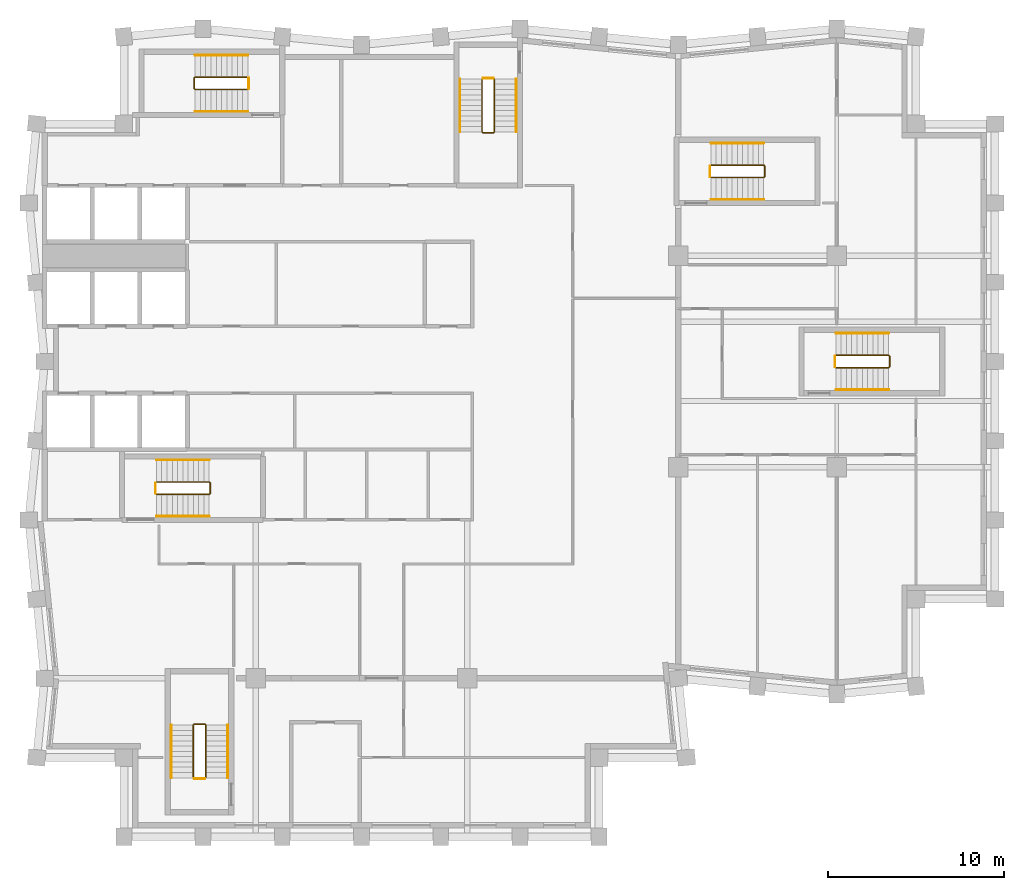
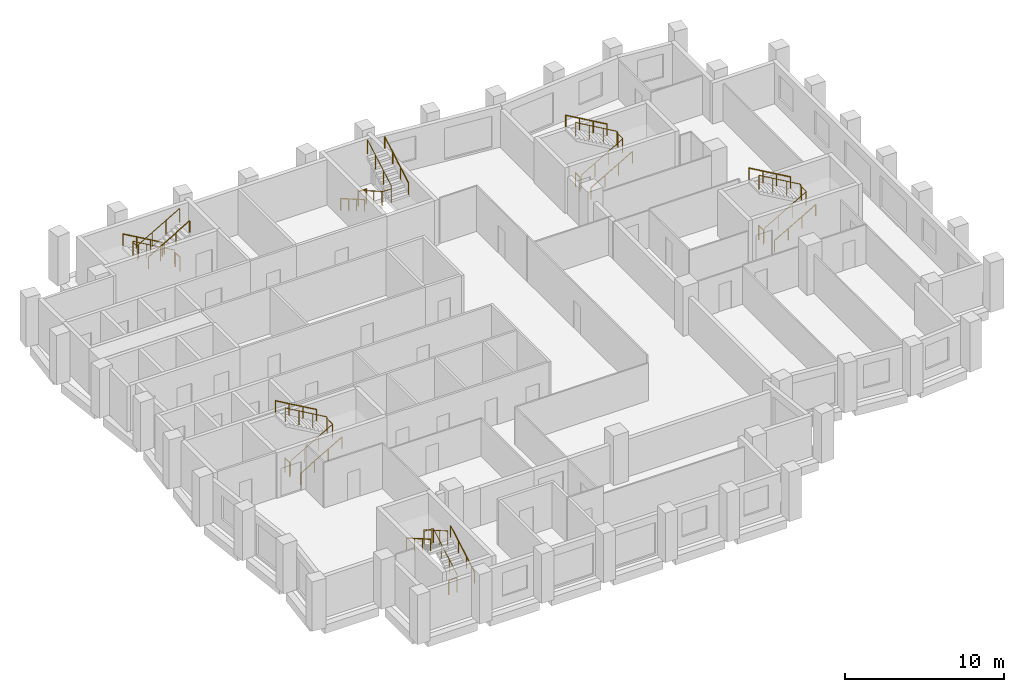
# One storey, part 8 of 8: 24 railings.
"""IFC4 building model written with IfcOpenShell, lengths in metres."""

from ifc_helpers import new_model, si_unit, direction, frame, origin, origin_2d, place, context, subcontext, project, spatial, circle, extrude, material, type_object, element, save


model = new_model("IFC4")

# Units and contexts
model_context = context("Model", 3, precision=1e-05, world=origin(), true_north=direction((0.0, 1.0)))
body_context = subcontext(model_context, "Body", "Model", "MODEL_VIEW")
ifc_project = project(units=[si_unit("LENGTHUNIT", "METRE"), si_unit("AREAUNIT", "SQUARE_METRE"), si_unit("VOLUMEUNIT", "CUBIC_METRE"), si_unit("PLANEANGLEUNIT", "RADIAN"), si_unit("MASSUNIT", "GRAM", prefix="KILO")], contexts=[model_context])

# Site, building, storey
site_placement = place(None, origin())
site = spatial("IfcSite", under=ifc_project, at=site_placement, CompositionType="ELEMENT")
building_placement = place(site_placement, origin())
building = spatial("IfcBuilding", under=site, at=building_placement, Name="Brondeck Convention Tower", CompositionType="ELEMENT")
storey_placement = place(building_placement, frame((0.0, 0.0, 229.199951171875)))
storey = spatial("IfcBuildingStorey", under=building, at=storey_placement, Name="L56", CompositionType="ELEMENT", Elevation=229.199951171875)

# Railings
ifc_material = material(Name="Steel S355", Category="steel")
railing_type_1 = type_object("IfcRailingType", Name="Stair guard 1100", PredefinedType="GUARDRAIL", material=ifc_material)
railing_1_placement = place(storey_placement, frame((6.35009765625, 37.449951171875, 0.1728515625)))
element("IfcRailing", 1, at=railing_1_placement, inside=storey, type_object=railing_type_1, Name="L56 ST-1 stair guard 1", PredefinedType="GUARDRAIL", context=body_context, shape_type="SweptSolid", body=[
    extrude(circle(Radius=0.02392578125, at=origin_2d()), frame((0.0, 0.0, 1.076171875), z_axis=(0.866619684472, 0.0, 0.498969260062), x_axis=(0.0, 1.0, 0.0)), (0.0, 0.0, 1.0), 3.461669921875),
    extrude(circle(Radius=0.02392578125, at=origin_2d()), frame((3.0, 0.0, 2.80322265625), z_axis=(0.705375805398, 0.708833529934, 0.0), x_axis=(-0.708833529934, 0.705375805398, 0.0)), (0.0, 0.0, 1.0), 0.070556640625),
    extrude(circle(Radius=0.02392578125, at=origin_2d()), frame((3.0498046875, 0.050048828125, 2.80322265625), z_axis=(0.0, 1.0, 0.0), x_axis=(-1.0, 0.0, 0.0)), (0.0, 0.0, 1.0), 0.60009765625),
    extrude(circle(Radius=0.02392578125, at=origin_2d()), frame((3.0498046875, 0.650146484375, 2.80322265625), z_axis=(-0.26715648603, 0.26715648603, 0.925880566782), x_axis=(-0.707106781187, -0.707106781187, 0.0)), (0.0, 0.0, 1.0), 0.1865234375),
    extrude(circle(Radius=0.02392578125, at=origin_2d()), frame((3.0, 0.699951171875, 2.97607421875), z_axis=(-0.866619684472, 0.0, 0.498969260062), x_axis=(0.0, -1.0, 0.0)), (0.0, 0.0, 1.0), 3.461669921875),
    extrude(circle(Radius=0.02099609375, at=origin_2d()), origin(), (0.0, 0.0, 1.0), 1.052001953125),
    extrude(circle(Radius=0.02099609375, at=origin_2d()), frame((1.0, 0.0, 0.57568359375)), (0.0, 0.0, 1.0), 1.052001953125),
    extrude(circle(Radius=0.02099609375, at=origin_2d()), frame((2.0, 0.0, 1.151611328125)), (0.0, 0.0, 1.0), 1.052001953125),
    extrude(circle(Radius=0.02099609375, at=origin_2d()), frame((3.0, 0.0, 1.727294921875)), (0.0, 0.0, 1.0), 1.052001953125),
    extrude(circle(Radius=0.02099609375, at=origin_2d()), frame((3.0498046875, 0.050048828125, 1.727294921875)), (0.0, 0.0, 1.0), 1.052001953125),
    extrude(circle(Radius=0.02099609375, at=origin_2d()), frame((3.0498046875, 0.650146484375, 1.727294921875)), (0.0, 0.0, 1.0), 1.052001953125),
    extrude(circle(Radius=0.02099609375, at=origin_2d()), frame((3.0, 0.699951171875, 1.89990234375)), (0.0, 0.0, 1.0), 1.052001953125),
    extrude(circle(Radius=0.02099609375, at=origin_2d()), frame((2.0, 0.699951171875, 2.4755859375)), (0.0, 0.0, 1.0), 1.052001953125),
    extrude(circle(Radius=0.02099609375, at=origin_2d()), frame((1.0, 0.699951171875, 3.051513671875)), (0.0, 0.0, 1.0), 1.052001953125),
    extrude(circle(Radius=0.02099609375, at=origin_2d()), frame((0.0, 0.699951171875, 3.627197265625)), (0.0, 0.0, 1.0), 1.052001953125),
])
railing_2_placement = place(storey_placement, frame((6.300048828125, 37.5, 0.0)))
element("IfcRailing", 2, at=railing_2_placement, inside=storey, type_object=railing_type_1, Name="L56 ST-1 stair guard 2", PredefinedType="GUARDRAIL", context=body_context, shape_type="SweptSolid", body=[
    extrude(circle(Radius=0.02392578125, at=origin_2d()), frame((0.0, 0.0, 1.076171875), z_axis=(0.0, 1.0, 0.0), x_axis=(-1.0, 0.0, 0.0)), (0.0, 0.0, 1.0), 0.60009765625),
    extrude(circle(Radius=0.02099609375, at=origin_2d()), origin(), (0.0, 0.0, 1.0), 1.052001953125),
    extrude(circle(Radius=0.02099609375, at=origin_2d()), frame((0.0, 0.60009765625, 0.0)), (0.0, 0.0, 1.0), 1.052001953125),
])
railing_3_placement = place(storey_placement, frame((24.85009765625, 61.050048828125, 0.1728515625)))
element("IfcRailing", 3, at=railing_3_placement, inside=storey, type_object=railing_type_1, Name="L56 ST-2 stair guard 1", PredefinedType="GUARDRAIL", context=body_context, shape_type="SweptSolid", body=[
    extrude(circle(Radius=0.02392578125, at=origin_2d()), frame((0.0, 0.0, 1.076171875), z_axis=(0.0, -0.866619684472, 0.498969260062), x_axis=(1.0, 0.0, 0.0)), (0.0, 0.0, 1.0), 3.461669921875),
    extrude(circle(Radius=0.02392578125, at=origin_2d()), frame((0.0, -3.0, 2.80322265625), z_axis=(0.705375805398, -0.708833529934, 0.0), x_axis=(0.708833529934, 0.705375805398, 0.0)), (0.0, 0.0, 1.0), 0.070556640625),
    extrude(circle(Radius=0.02392578125, at=origin_2d()), frame((0.0498046875, -3.050048828125, 2.80322265625), z_axis=(1.0, 0.0, 0.0), x_axis=(0.0, 1.0, 0.0)), (0.0, 0.0, 1.0), 0.60009765625),
    extrude(circle(Radius=0.02392578125, at=origin_2d()), frame((0.64990234375, -3.050048828125, 2.80322265625), z_axis=(0.268277960024, 0.268277960024, 0.925231793839), x_axis=(-0.707106781187, 0.707106781187, 0.0)), (0.0, 0.0, 1.0), 0.1865234375),
    extrude(circle(Radius=0.02392578125, at=origin_2d()), frame((0.699951171875, -3.0, 2.97607421875), z_axis=(0.0, 0.866619684472, 0.498969260062), x_axis=(-1.0, 0.0, 0.0)), (0.0, 0.0, 1.0), 3.461669921875),
    extrude(circle(Radius=0.02099609375, at=origin_2d()), origin(), (0.0, 0.0, 1.0), 1.052001953125),
    extrude(circle(Radius=0.02099609375, at=origin_2d()), frame((0.0, -1.0, 0.57568359375)), (0.0, 0.0, 1.0), 1.052001953125),
    extrude(circle(Radius=0.02099609375, at=origin_2d()), frame((0.0, -2.0, 1.151611328125)), (0.0, 0.0, 1.0), 1.052001953125),
    extrude(circle(Radius=0.02099609375, at=origin_2d()), frame((0.0, -3.0, 1.727294921875)), (0.0, 0.0, 1.0), 1.052001953125),
    extrude(circle(Radius=0.02099609375, at=origin_2d()), frame((0.0498046875, -3.050048828125, 1.727294921875)), (0.0, 0.0, 1.0), 1.052001953125),
    extrude(circle(Radius=0.02099609375, at=origin_2d()), frame((0.64990234375, -3.050048828125, 1.727294921875)), (0.0, 0.0, 1.0), 1.052001953125),
    extrude(circle(Radius=0.02099609375, at=origin_2d()), frame((0.699951171875, -3.0, 1.89990234375)), (0.0, 0.0, 1.0), 1.052001953125),
    extrude(circle(Radius=0.02099609375, at=origin_2d()), frame((0.699951171875, -2.0, 2.4755859375)), (0.0, 0.0, 1.0), 1.052001953125),
    extrude(circle(Radius=0.02099609375, at=origin_2d()), frame((0.699951171875, -1.0, 3.051513671875)), (0.0, 0.0, 1.0), 1.052001953125),
    extrude(circle(Radius=0.02099609375, at=origin_2d()), frame((0.699951171875, 0.0, 3.627197265625)), (0.0, 0.0, 1.0), 1.052001953125),
])
railing_4_placement = place(storey_placement, frame((24.89990234375, 61.10009765625, 0.0)))
element("IfcRailing", 4, at=railing_4_placement, inside=storey, type_object=railing_type_1, Name="L56 ST-2 stair guard 2", PredefinedType="GUARDRAIL", context=body_context, shape_type="SweptSolid", body=[
    extrude(circle(Radius=0.02392578125, at=origin_2d()), frame((0.0, 0.0, 1.076171875), z_axis=(1.0, 0.0, 0.0), x_axis=(0.0, 1.0, 0.0)), (0.0, 0.0, 1.0), 0.60009765625),
    extrude(circle(Radius=0.02099609375, at=origin_2d()), origin(), (0.0, 0.0, 1.0), 1.052001953125),
    extrude(circle(Radius=0.02099609375, at=origin_2d()), frame((0.60009765625, 0.0, 0.0)), (0.0, 0.0, 1.0), 1.052001953125),
])
railing_5_placement = place(storey_placement, frame((11.550048828125, 61.14990234375, 0.1728515625)))
element("IfcRailing", 5, at=railing_5_placement, inside=storey, type_object=railing_type_1, Name="L56 ST-3 stair guard 1", PredefinedType="GUARDRAIL", context=body_context, shape_type="SweptSolid", body=[
    extrude(circle(Radius=0.02392578125, at=origin_2d()), frame((0.0, 0.0, 1.076171875), z_axis=(-0.866619684472, 0.0, 0.498969260062), x_axis=(0.0, -1.0, 0.0)), (0.0, 0.0, 1.0), 3.461669921875),
    extrude(circle(Radius=0.02392578125, at=origin_2d()), frame((-3.0, 0.0, 2.80322265625), z_axis=(-0.708833529934, -0.705375805398, 0.0), x_axis=(0.705375805398, -0.708833529934, 0.0)), (0.0, 0.0, 1.0), 0.070556640625),
    extrude(circle(Radius=0.02392578125, at=origin_2d()), frame((-3.050048828125, -0.0498046875, 2.80322265625), z_axis=(0.0, -1.0, 0.0), x_axis=(1.0, 0.0, 0.0)), (0.0, 0.0, 1.0), 0.60009765625),
    extrude(circle(Radius=0.02392578125, at=origin_2d()), frame((-3.050048828125, -0.64990234375, 2.80322265625), z_axis=(0.268277960024, -0.268277960024, 0.925231793839), x_axis=(0.707106781187, 0.707106781187, 0.0)), (0.0, 0.0, 1.0), 0.1865234375),
    extrude(circle(Radius=0.02392578125, at=origin_2d()), frame((-3.0, -0.699951171875, 2.97607421875), z_axis=(0.866619684472, 0.0, 0.498969260062), x_axis=(0.0, 1.0, 0.0)), (0.0, 0.0, 1.0), 3.461669921875),
    extrude(circle(Radius=0.02099609375, at=origin_2d()), origin(), (0.0, 0.0, 1.0), 1.052001953125),
    extrude(circle(Radius=0.02099609375, at=origin_2d()), frame((-1.0, 0.0, 0.57568359375)), (0.0, 0.0, 1.0), 1.052001953125),
    extrude(circle(Radius=0.02099609375, at=origin_2d()), frame((-2.0, 0.0, 1.151611328125)), (0.0, 0.0, 1.0), 1.052001953125),
    extrude(circle(Radius=0.02099609375, at=origin_2d()), frame((-3.0, 0.0, 1.727294921875)), (0.0, 0.0, 1.0), 1.052001953125),
    extrude(circle(Radius=0.02099609375, at=origin_2d()), frame((-3.050048828125, -0.0498046875, 1.727294921875)), (0.0, 0.0, 1.0), 1.052001953125),
    extrude(circle(Radius=0.02099609375, at=origin_2d()), frame((-3.050048828125, -0.64990234375, 1.727294921875)), (0.0, 0.0, 1.0), 1.052001953125),
    extrude(circle(Radius=0.02099609375, at=origin_2d()), frame((-3.0, -0.699951171875, 1.89990234375)), (0.0, 0.0, 1.0), 1.052001953125),
    extrude(circle(Radius=0.02099609375, at=origin_2d()), frame((-2.0, -0.699951171875, 2.4755859375)), (0.0, 0.0, 1.0), 1.052001953125),
    extrude(circle(Radius=0.02099609375, at=origin_2d()), frame((-1.0, -0.699951171875, 3.051513671875)), (0.0, 0.0, 1.0), 1.052001953125),
    extrude(circle(Radius=0.02099609375, at=origin_2d()), frame((0.0, -0.699951171875, 3.627197265625)), (0.0, 0.0, 1.0), 1.052001953125),
])
railing_6_placement = place(storey_placement, frame((11.60009765625, 61.10009765625, 0.0)))
element("IfcRailing", 6, at=railing_6_placement, inside=storey, type_object=railing_type_1, Name="L56 ST-3 stair guard 2", PredefinedType="GUARDRAIL", context=body_context, shape_type="SweptSolid", body=[
    extrude(circle(Radius=0.02392578125, at=origin_2d()), frame((0.0, 0.0, 1.076171875), z_axis=(0.0, -1.0, 0.0), x_axis=(1.0, 0.0, 0.0)), (0.0, 0.0, 1.0), 0.60009765625),
    extrude(circle(Radius=0.02099609375, at=origin_2d()), origin(), (0.0, 0.0, 1.0), 1.052001953125),
    extrude(circle(Radius=0.02099609375, at=origin_2d()), frame((0.0, -0.60009765625, 0.0)), (0.0, 0.0, 1.0), 1.052001953125),
])
railing_7_placement = place(storey_placement, frame((37.85009765625, 55.449951171875, 0.1728515625)))
element("IfcRailing", 7, at=railing_7_placement, inside=storey, type_object=railing_type_1, Name="L56 ST-AE stair guard 1", PredefinedType="GUARDRAIL", context=body_context, shape_type="SweptSolid", body=[
    extrude(circle(Radius=0.02392578125, at=origin_2d()), frame((0.0, 0.0, 1.076171875), z_axis=(0.866619684472, 0.0, 0.498969260062), x_axis=(0.0, 1.0, 0.0)), (0.0, 0.0, 1.0), 3.461669921875),
    extrude(circle(Radius=0.02392578125, at=origin_2d()), frame((3.0, 0.0, 2.80322265625), z_axis=(0.705375805398, 0.708833529934, 0.0), x_axis=(-0.708833529934, 0.705375805398, 0.0)), (0.0, 0.0, 1.0), 0.070556640625),
    extrude(circle(Radius=0.02392578125, at=origin_2d()), frame((3.0498046875, 0.050048828125, 2.80322265625), z_axis=(0.0, 1.0, 0.0), x_axis=(-1.0, 0.0, 0.0)), (0.0, 0.0, 1.0), 0.60009765625),
    extrude(circle(Radius=0.02392578125, at=origin_2d()), frame((3.0498046875, 0.650146484375, 2.80322265625), z_axis=(-0.26715648603, 0.26715648603, 0.925880566782), x_axis=(-0.707106781187, -0.707106781187, 0.0)), (0.0, 0.0, 1.0), 0.1865234375),
    extrude(circle(Radius=0.02392578125, at=origin_2d()), frame((3.0, 0.699951171875, 2.97607421875), z_axis=(-0.866619684472, 0.0, 0.498969260062), x_axis=(0.0, -1.0, 0.0)), (0.0, 0.0, 1.0), 3.461669921875),
    extrude(circle(Radius=0.02099609375, at=origin_2d()), origin(), (0.0, 0.0, 1.0), 1.052001953125),
    extrude(circle(Radius=0.02099609375, at=origin_2d()), frame((1.0, 0.0, 0.57568359375)), (0.0, 0.0, 1.0), 1.052001953125),
    extrude(circle(Radius=0.02099609375, at=origin_2d()), frame((2.0, 0.0, 1.151611328125)), (0.0, 0.0, 1.0), 1.052001953125),
    extrude(circle(Radius=0.02099609375, at=origin_2d()), frame((3.0, 0.0, 1.727294921875)), (0.0, 0.0, 1.0), 1.052001953125),
    extrude(circle(Radius=0.02099609375, at=origin_2d()), frame((3.0498046875, 0.050048828125, 1.727294921875)), (0.0, 0.0, 1.0), 1.052001953125),
    extrude(circle(Radius=0.02099609375, at=origin_2d()), frame((3.0498046875, 0.650146484375, 1.727294921875)), (0.0, 0.0, 1.0), 1.052001953125),
    extrude(circle(Radius=0.02099609375, at=origin_2d()), frame((3.0, 0.699951171875, 1.89990234375)), (0.0, 0.0, 1.0), 1.052001953125),
    extrude(circle(Radius=0.02099609375, at=origin_2d()), frame((2.0, 0.699951171875, 2.4755859375)), (0.0, 0.0, 1.0), 1.052001953125),
    extrude(circle(Radius=0.02099609375, at=origin_2d()), frame((1.0, 0.699951171875, 3.051513671875)), (0.0, 0.0, 1.0), 1.052001953125),
    extrude(circle(Radius=0.02099609375, at=origin_2d()), frame((0.0, 0.699951171875, 3.627197265625)), (0.0, 0.0, 1.0), 1.052001953125),
])
railing_8_placement = place(storey_placement, frame((37.800048828125, 55.5, 0.0)))
element("IfcRailing", 8, at=railing_8_placement, inside=storey, type_object=railing_type_1, Name="L56 ST-AE stair guard 2", PredefinedType="GUARDRAIL", context=body_context, shape_type="SweptSolid", body=[
    extrude(circle(Radius=0.02392578125, at=origin_2d()), frame((0.0, 0.0, 1.076171875), z_axis=(0.0, 1.0, 0.0), x_axis=(-1.0, 0.0, 0.0)), (0.0, 0.0, 1.0), 0.60009765625),
    extrude(circle(Radius=0.02099609375, at=origin_2d()), origin(), (0.0, 0.0, 1.0), 1.052001953125),
    extrude(circle(Radius=0.02099609375, at=origin_2d()), frame((0.0, 0.60009765625, 0.0)), (0.0, 0.0, 1.0), 1.052001953125),
])
railing_9_placement = place(storey_placement, frame((9.14990234375, 21.35009765625, 0.1728515625)))
element("IfcRailing", 9, at=railing_9_placement, inside=storey, type_object=railing_type_1, Name="L56 ST-BE stair guard 1", PredefinedType="GUARDRAIL", context=body_context, shape_type="SweptSolid", body=[
    extrude(circle(Radius=0.02392578125, at=origin_2d()), frame((0.0, 0.0, 1.076171875), z_axis=(0.0, 0.866619684472, 0.498969260062), x_axis=(-1.0, 0.0, 0.0)), (0.0, 0.0, 1.0), 3.461669921875),
    extrude(circle(Radius=0.02392578125, at=origin_2d()), frame((0.0, 3.0, 2.80322265625), z_axis=(-0.707106781187, 0.707106781187, 0.0), x_axis=(-0.707106781187, -0.707106781187, 0.0)), (0.0, 0.0, 1.0), 0.0703125),
    extrude(circle(Radius=0.02392578125, at=origin_2d()), frame((-0.0498046875, 3.0498046875, 2.80322265625), z_axis=(-1.0, 0.0, 0.0), x_axis=(0.0, -1.0, 0.0)), (0.0, 0.0, 1.0), 0.60009765625),
    extrude(circle(Radius=0.02392578125, at=origin_2d()), frame((-0.64990234375, 3.0498046875, 2.80322265625), z_axis=(-0.268371968888, -0.267062837333, 0.925556009775), x_axis=(0.705375805398, -0.708833529934, 0.0)), (0.0, 0.0, 1.0), 0.1865234375),
    extrude(circle(Radius=0.02392578125, at=origin_2d()), frame((-0.699951171875, 3.0, 2.97607421875), z_axis=(0.0, -0.866619684472, 0.498969260062), x_axis=(1.0, 0.0, 0.0)), (0.0, 0.0, 1.0), 3.461669921875),
    extrude(circle(Radius=0.02099609375, at=origin_2d()), origin(), (0.0, 0.0, 1.0), 1.052001953125),
    extrude(circle(Radius=0.02099609375, at=origin_2d()), frame((0.0, 1.0, 0.57568359375)), (0.0, 0.0, 1.0), 1.052001953125),
    extrude(circle(Radius=0.02099609375, at=origin_2d()), frame((0.0, 2.0, 1.151611328125)), (0.0, 0.0, 1.0), 1.052001953125),
    extrude(circle(Radius=0.02099609375, at=origin_2d()), frame((0.0, 3.0, 1.727294921875)), (0.0, 0.0, 1.0), 1.052001953125),
    extrude(circle(Radius=0.02099609375, at=origin_2d()), frame((-0.0498046875, 3.0498046875, 1.727294921875)), (0.0, 0.0, 1.0), 1.052001953125),
    extrude(circle(Radius=0.02099609375, at=origin_2d()), frame((-0.64990234375, 3.0498046875, 1.727294921875)), (0.0, 0.0, 1.0), 1.052001953125),
    extrude(circle(Radius=0.02099609375, at=origin_2d()), frame((-0.699951171875, 3.0, 1.89990234375)), (0.0, 0.0, 1.0), 1.052001953125),
    extrude(circle(Radius=0.02099609375, at=origin_2d()), frame((-0.699951171875, 2.0, 2.4755859375)), (0.0, 0.0, 1.0), 1.052001953125),
    extrude(circle(Radius=0.02099609375, at=origin_2d()), frame((-0.699951171875, 1.0, 3.051513671875)), (0.0, 0.0, 1.0), 1.052001953125),
    extrude(circle(Radius=0.02099609375, at=origin_2d()), frame((-0.699951171875, 0.0, 3.627197265625)), (0.0, 0.0, 1.0), 1.052001953125),
])
railing_10_placement = place(storey_placement, frame((9.10009765625, 21.300048828125, 0.0)))
element("IfcRailing", 10, at=railing_10_placement, inside=storey, type_object=railing_type_1, Name="L56 ST-BE stair guard 2", PredefinedType="GUARDRAIL", context=body_context, shape_type="SweptSolid", body=[
    extrude(circle(Radius=0.02392578125, at=origin_2d()), frame((0.0, 0.0, 1.076171875), z_axis=(-1.0, 0.0, 0.0), x_axis=(0.0, -1.0, 0.0)), (0.0, 0.0, 1.0), 0.60009765625),
    extrude(circle(Radius=0.02099609375, at=origin_2d()), origin(), (0.0, 0.0, 1.0), 1.052001953125),
    extrude(circle(Radius=0.02099609375, at=origin_2d()), frame((-0.60009765625, 0.0, 0.0)), (0.0, 0.0, 1.0), 1.052001953125),
])
railing_11_placement = place(storey_placement, frame((44.949951171875, 44.64990234375, 0.1728515625)))
element("IfcRailing", 11, at=railing_11_placement, inside=storey, type_object=railing_type_1, Name="L56 ST-AF stair guard 1", PredefinedType="GUARDRAIL", context=body_context, shape_type="SweptSolid", body=[
    extrude(circle(Radius=0.02392578125, at=origin_2d()), frame((0.0, 0.0, 1.076171875), z_axis=(0.866619684472, 0.0, 0.498969260062), x_axis=(0.0, 1.0, 0.0)), (0.0, 0.0, 1.0), 3.461669921875),
    extrude(circle(Radius=0.02392578125, at=origin_2d()), frame((3.0, 0.0, 2.80322265625), z_axis=(0.707106781187, 0.707106781187, 0.0), x_axis=(-0.707106781187, 0.707106781187, 0.0)), (0.0, 0.0, 1.0), 0.07080078125),
    extrude(circle(Radius=0.02392578125, at=origin_2d()), frame((3.050048828125, 0.050048828125, 2.80322265625), z_axis=(0.0, 1.0, 0.0), x_axis=(-1.0, 0.0, 0.0)), (0.0, 0.0, 1.0), 0.60009765625),
    extrude(circle(Radius=0.02392578125, at=origin_2d()), frame((3.050048828125, 0.650146484375, 2.80322265625), z_axis=(-0.268277960024, 0.268277960024, 0.925231793839), x_axis=(-0.707106781187, -0.707106781187, 0.0)), (0.0, 0.0, 1.0), 0.1865234375),
    extrude(circle(Radius=0.02392578125, at=origin_2d()), frame((3.0, 0.7001953125, 2.97607421875), z_axis=(-0.866619684472, 0.0, 0.498969260062), x_axis=(0.0, -1.0, 0.0)), (0.0, 0.0, 1.0), 3.461669921875),
    extrude(circle(Radius=0.02099609375, at=origin_2d()), origin(), (0.0, 0.0, 1.0), 1.052001953125),
    extrude(circle(Radius=0.02099609375, at=origin_2d()), frame((1.0, 0.0, 0.57568359375)), (0.0, 0.0, 1.0), 1.052001953125),
    extrude(circle(Radius=0.02099609375, at=origin_2d()), frame((2.0, 0.0, 1.151611328125)), (0.0, 0.0, 1.0), 1.052001953125),
    extrude(circle(Radius=0.02099609375, at=origin_2d()), frame((3.0, 0.0, 1.727294921875)), (0.0, 0.0, 1.0), 1.052001953125),
    extrude(circle(Radius=0.02099609375, at=origin_2d()), frame((3.050048828125, 0.050048828125, 1.727294921875)), (0.0, 0.0, 1.0), 1.052001953125),
    extrude(circle(Radius=0.02099609375, at=origin_2d()), frame((3.050048828125, 0.650146484375, 1.727294921875)), (0.0, 0.0, 1.0), 1.052001953125),
    extrude(circle(Radius=0.02099609375, at=origin_2d()), frame((3.0, 0.7001953125, 1.89990234375)), (0.0, 0.0, 1.0), 1.052001953125),
    extrude(circle(Radius=0.02099609375, at=origin_2d()), frame((2.0, 0.7001953125, 2.4755859375)), (0.0, 0.0, 1.0), 1.052001953125),
    extrude(circle(Radius=0.02099609375, at=origin_2d()), frame((1.0, 0.7001953125, 3.051513671875)), (0.0, 0.0, 1.0), 1.052001953125),
    extrude(circle(Radius=0.02099609375, at=origin_2d()), frame((0.0, 0.7001953125, 3.627197265625)), (0.0, 0.0, 1.0), 1.052001953125),
])
railing_12_placement = place(storey_placement, frame((44.89990234375, 44.699951171875, 0.0)))
element("IfcRailing", 12, at=railing_12_placement, inside=storey, type_object=railing_type_1, Name="L56 ST-AF stair guard 2", PredefinedType="GUARDRAIL", context=body_context, shape_type="SweptSolid", body=[
    extrude(circle(Radius=0.02392578125, at=origin_2d()), frame((0.0, 0.0, 1.076171875), z_axis=(0.0, 1.0, 0.0), x_axis=(-1.0, 0.0, 0.0)), (0.0, 0.0, 1.0), 0.60009765625),
    extrude(circle(Radius=0.02099609375, at=origin_2d()), origin(), (0.0, 0.0, 1.0), 1.052001953125),
    extrude(circle(Radius=0.02099609375, at=origin_2d()), frame((0.0, 0.60009765625, 0.0)), (0.0, 0.0, 1.0), 1.052001953125),
])
railing_type_2 = type_object("IfcRailingType", Name="Stair handrail", PredefinedType="HANDRAIL", material=ifc_material)
railing_13_placement = place(storey_placement, frame((6.35009765625, 36.199951171875, 0.1728515625)))
element("IfcRailing", 13, at=railing_13_placement, inside=storey, type_object=railing_type_2, Name="L56 ST-1 stair handrail 1", PredefinedType="HANDRAIL", context=body_context, shape_type="SweptSolid", body=[
    extrude(circle(Radius=0.02392578125, at=origin_2d()), frame((0.0, 0.0, 0.8759765625), z_axis=(0.866619684472, 0.0, 0.498969260062), x_axis=(0.0, 1.0, 0.0)), (0.0, 0.0, 1.0), 3.461669921875),
    extrude(circle(Radius=0.02099609375, at=origin_2d()), origin(), (0.0, 0.0, 1.0), 0.851806640625),
    extrude(circle(Radius=0.02099609375, at=origin_2d()), frame((1.0, 0.0, 0.57568359375)), (0.0, 0.0, 1.0), 0.851806640625),
    extrude(circle(Radius=0.02099609375, at=origin_2d()), frame((2.0, 0.0, 1.151611328125)), (0.0, 0.0, 1.0), 0.851806640625),
    extrude(circle(Radius=0.02099609375, at=origin_2d()), frame((3.0, 0.0, 1.727294921875)), (0.0, 0.0, 1.0), 0.851806640625),
])
railing_14_placement = place(storey_placement, frame((9.35009765625, 39.39990234375, 2.07275390625)))
element("IfcRailing", 14, at=railing_14_placement, inside=storey, type_object=railing_type_2, Name="L56 ST-1 stair handrail 2", PredefinedType="HANDRAIL", context=body_context, shape_type="SweptSolid", body=[
    extrude(circle(Radius=0.02392578125, at=origin_2d()), frame((0.0, 0.0, 0.8759765625), z_axis=(-0.866619684472, 0.0, 0.498969260062), x_axis=(0.0, -1.0, 0.0)), (0.0, 0.0, 1.0), 3.461669921875),
    extrude(circle(Radius=0.02099609375, at=origin_2d()), origin(), (0.0, 0.0, 1.0), 0.851806640625),
    extrude(circle(Radius=0.02099609375, at=origin_2d()), frame((-1.0, 0.0, 0.57568359375)), (0.0, 0.0, 1.0), 0.851806640625),
    extrude(circle(Radius=0.02099609375, at=origin_2d()), frame((-2.0, 0.0, 1.151611328125)), (0.0, 0.0, 1.0), 0.851806640625),
    extrude(circle(Radius=0.02099609375, at=origin_2d()), frame((-3.0, 0.0, 1.727294921875)), (0.0, 0.0, 1.0), 0.851806640625),
])
railing_15_placement = place(storey_placement, frame((23.60009765625, 61.050048828125, 0.1728515625)))
element("IfcRailing", 15, at=railing_15_placement, inside=storey, type_object=railing_type_2, Name="L56 ST-2 stair handrail 1", PredefinedType="HANDRAIL", context=body_context, shape_type="SweptSolid", body=[
    extrude(circle(Radius=0.02392578125, at=origin_2d()), frame((0.0, 0.0, 0.8759765625), z_axis=(0.0, -0.866619684472, 0.498969260062), x_axis=(1.0, 0.0, 0.0)), (0.0, 0.0, 1.0), 3.461669921875),
    extrude(circle(Radius=0.02099609375, at=origin_2d()), origin(), (0.0, 0.0, 1.0), 0.851806640625),
    extrude(circle(Radius=0.02099609375, at=origin_2d()), frame((0.0, -1.0, 0.57568359375)), (0.0, 0.0, 1.0), 0.851806640625),
    extrude(circle(Radius=0.02099609375, at=origin_2d()), frame((0.0, -2.0, 1.151611328125)), (0.0, 0.0, 1.0), 0.851806640625),
    extrude(circle(Radius=0.02099609375, at=origin_2d()), frame((0.0, -3.0, 1.727294921875)), (0.0, 0.0, 1.0), 0.851806640625),
])
railing_16_placement = place(storey_placement, frame((26.800048828125, 58.050048828125, 2.07275390625)))
element("IfcRailing", 16, at=railing_16_placement, inside=storey, type_object=railing_type_2, Name="L56 ST-2 stair handrail 2", PredefinedType="HANDRAIL", context=body_context, shape_type="SweptSolid", body=[
    extrude(circle(Radius=0.02392578125, at=origin_2d()), frame((0.0, 0.0, 0.8759765625), z_axis=(0.0, 0.866619684472, 0.498969260062), x_axis=(-1.0, 0.0, 0.0)), (0.0, 0.0, 1.0), 3.461669921875),
    extrude(circle(Radius=0.02099609375, at=origin_2d()), origin(), (0.0, 0.0, 1.0), 0.851806640625),
    extrude(circle(Radius=0.02099609375, at=origin_2d()), frame((0.0, 1.0, 0.57568359375)), (0.0, 0.0, 1.0), 0.851806640625),
    extrude(circle(Radius=0.02099609375, at=origin_2d()), frame((0.0, 2.0, 1.151611328125)), (0.0, 0.0, 1.0), 0.851806640625),
    extrude(circle(Radius=0.02099609375, at=origin_2d()), frame((0.0, 3.0, 1.727294921875)), (0.0, 0.0, 1.0), 0.851806640625),
])
railing_17_placement = place(storey_placement, frame((11.550048828125, 62.39990234375, 0.1728515625)))
element("IfcRailing", 17, at=railing_17_placement, inside=storey, type_object=railing_type_2, Name="L56 ST-3 stair handrail 1", PredefinedType="HANDRAIL", context=body_context, shape_type="SweptSolid", body=[
    extrude(circle(Radius=0.02392578125, at=origin_2d()), frame((0.0, 0.0, 0.8759765625), z_axis=(-0.866619684472, 0.0, 0.498969260062), x_axis=(0.0, -1.0, 0.0)), (0.0, 0.0, 1.0), 3.461669921875),
    extrude(circle(Radius=0.02099609375, at=origin_2d()), origin(), (0.0, 0.0, 1.0), 0.851806640625),
    extrude(circle(Radius=0.02099609375, at=origin_2d()), frame((-1.0, 0.0, 0.57568359375)), (0.0, 0.0, 1.0), 0.851806640625),
    extrude(circle(Radius=0.02099609375, at=origin_2d()), frame((-2.0, 0.0, 1.151611328125)), (0.0, 0.0, 1.0), 0.851806640625),
    extrude(circle(Radius=0.02099609375, at=origin_2d()), frame((-3.0, 0.0, 1.727294921875)), (0.0, 0.0, 1.0), 0.851806640625),
])
for number, where, name in (
    (18, (8.550048828125, 59.199951171875, 2.07275390625), "L56 ST-3 stair handrail 2"),
    (19, (37.85009765625, 54.199951171875, 0.1728515625), "L56 ST-AE stair handrail 1"),
):
    element("IfcRailing", number, at=place(storey_placement, frame(where)), inside=storey, type_object=railing_type_2, Name=name, PredefinedType="HANDRAIL", context=body_context, shape_type="SweptSolid", body=[
        extrude(circle(Radius=0.02392578125, at=origin_2d()), frame((0.0, 0.0, 0.8759765625), z_axis=(0.866619684472, 0.0, 0.498969260062), x_axis=(0.0, 1.0, 0.0)), (0.0, 0.0, 1.0), 3.461669921875),
        extrude(circle(Radius=0.02099609375, at=origin_2d()), origin(), (0.0, 0.0, 1.0), 0.851806640625),
        extrude(circle(Radius=0.02099609375, at=origin_2d()), frame((1.0, 0.0, 0.57568359375)), (0.0, 0.0, 1.0), 0.851806640625),
        extrude(circle(Radius=0.02099609375, at=origin_2d()), frame((2.0, 0.0, 1.151611328125)), (0.0, 0.0, 1.0), 0.851806640625),
        extrude(circle(Radius=0.02099609375, at=origin_2d()), frame((3.0, 0.0, 1.727294921875)), (0.0, 0.0, 1.0), 0.851806640625),
    ])
railing_18_placement = place(storey_placement, frame((40.85009765625, 57.39990234375, 2.07275390625)))
element("IfcRailing", 20, at=railing_18_placement, inside=storey, type_object=railing_type_2, Name="L56 ST-AE stair handrail 2", PredefinedType="HANDRAIL", context=body_context, shape_type="SweptSolid", body=[
    extrude(circle(Radius=0.02392578125, at=origin_2d()), frame((0.0, 0.0, 0.8759765625), z_axis=(-0.866619684472, 0.0, 0.498969260062), x_axis=(0.0, -1.0, 0.0)), (0.0, 0.0, 1.0), 3.461669921875),
    extrude(circle(Radius=0.02099609375, at=origin_2d()), origin(), (0.0, 0.0, 1.0), 0.851806640625),
    extrude(circle(Radius=0.02099609375, at=origin_2d()), frame((-1.0, 0.0, 0.57568359375)), (0.0, 0.0, 1.0), 0.851806640625),
    extrude(circle(Radius=0.02099609375, at=origin_2d()), frame((-2.0, 0.0, 1.151611328125)), (0.0, 0.0, 1.0), 0.851806640625),
    extrude(circle(Radius=0.02099609375, at=origin_2d()), frame((-3.0, 0.0, 1.727294921875)), (0.0, 0.0, 1.0), 0.851806640625),
])
railing_19_placement = place(storey_placement, frame((10.39990234375, 21.35009765625, 0.1728515625)))
element("IfcRailing", 21, at=railing_19_placement, inside=storey, type_object=railing_type_2, Name="L56 ST-BE stair handrail 1", PredefinedType="HANDRAIL", context=body_context, shape_type="SweptSolid", body=[
    extrude(circle(Radius=0.02392578125, at=origin_2d()), frame((0.0, 0.0, 0.8759765625), z_axis=(0.0, 0.866619684472, 0.498969260062), x_axis=(-1.0, 0.0, 0.0)), (0.0, 0.0, 1.0), 3.461669921875),
    extrude(circle(Radius=0.02099609375, at=origin_2d()), origin(), (0.0, 0.0, 1.0), 0.851806640625),
    extrude(circle(Radius=0.02099609375, at=origin_2d()), frame((0.0, 1.0, 0.57568359375)), (0.0, 0.0, 1.0), 0.851806640625),
    extrude(circle(Radius=0.02099609375, at=origin_2d()), frame((0.0, 2.0, 1.151611328125)), (0.0, 0.0, 1.0), 0.851806640625),
    extrude(circle(Radius=0.02099609375, at=origin_2d()), frame((0.0, 3.0, 1.727294921875)), (0.0, 0.0, 1.0), 0.851806640625),
])
railing_20_placement = place(storey_placement, frame((7.199951171875, 24.35009765625, 2.07275390625)))
element("IfcRailing", 22, at=railing_20_placement, inside=storey, type_object=railing_type_2, Name="L56 ST-BE stair handrail 2", PredefinedType="HANDRAIL", context=body_context, shape_type="SweptSolid", body=[
    extrude(circle(Radius=0.02392578125, at=origin_2d()), frame((0.0, 0.0, 0.8759765625), z_axis=(0.0, -0.866619684472, 0.498969260062), x_axis=(1.0, 0.0, 0.0)), (0.0, 0.0, 1.0), 3.461669921875),
    extrude(circle(Radius=0.02099609375, at=origin_2d()), origin(), (0.0, 0.0, 1.0), 0.851806640625),
    extrude(circle(Radius=0.02099609375, at=origin_2d()), frame((0.0, -1.0, 0.57568359375)), (0.0, 0.0, 1.0), 0.851806640625),
    extrude(circle(Radius=0.02099609375, at=origin_2d()), frame((0.0, -2.0, 1.151611328125)), (0.0, 0.0, 1.0), 0.851806640625),
    extrude(circle(Radius=0.02099609375, at=origin_2d()), frame((0.0, -3.0, 1.727294921875)), (0.0, 0.0, 1.0), 0.851806640625),
])
railing_21_placement = place(storey_placement, frame((44.949951171875, 43.39990234375, 0.1728515625)))
element("IfcRailing", 23, at=railing_21_placement, inside=storey, type_object=railing_type_2, Name="L56 ST-AF stair handrail 1", PredefinedType="HANDRAIL", context=body_context, shape_type="SweptSolid", body=[
    extrude(circle(Radius=0.02392578125, at=origin_2d()), frame((0.0, 0.0, 0.8759765625), z_axis=(0.866619684472, 0.0, 0.498969260062), x_axis=(0.0, 1.0, 0.0)), (0.0, 0.0, 1.0), 3.461669921875),
    extrude(circle(Radius=0.02099609375, at=origin_2d()), origin(), (0.0, 0.0, 1.0), 0.851806640625),
    extrude(circle(Radius=0.02099609375, at=origin_2d()), frame((1.0, 0.0, 0.57568359375)), (0.0, 0.0, 1.0), 0.851806640625),
    extrude(circle(Radius=0.02099609375, at=origin_2d()), frame((2.0, 0.0, 1.151611328125)), (0.0, 0.0, 1.0), 0.851806640625),
    extrude(circle(Radius=0.02099609375, at=origin_2d()), frame((3.0, 0.0, 1.727294921875)), (0.0, 0.0, 1.0), 0.851806640625),
])
railing_22_placement = place(storey_placement, frame((47.949951171875, 46.60009765625, 2.07275390625)))
element("IfcRailing", 24, at=railing_22_placement, inside=storey, type_object=railing_type_2, Name="L56 ST-AF stair handrail 2", PredefinedType="HANDRAIL", context=body_context, shape_type="SweptSolid", body=[
    extrude(circle(Radius=0.02392578125, at=origin_2d()), frame((0.0, 0.0, 0.8759765625), z_axis=(-0.866619684472, 0.0, 0.498969260062), x_axis=(0.0, -1.0, 0.0)), (0.0, 0.0, 1.0), 3.461669921875),
    extrude(circle(Radius=0.02099609375, at=origin_2d()), origin(), (0.0, 0.0, 1.0), 0.851806640625),
    extrude(circle(Radius=0.02099609375, at=origin_2d()), frame((-1.0, 0.0, 0.57568359375)), (0.0, 0.0, 1.0), 0.851806640625),
    extrude(circle(Radius=0.02099609375, at=origin_2d()), frame((-2.0, 0.0, 1.151611328125)), (0.0, 0.0, 1.0), 0.851806640625),
    extrude(circle(Radius=0.02099609375, at=origin_2d()), frame((-3.0, 0.0, 1.727294921875)), (0.0, 0.0, 1.0), 0.851806640625),
])

save(model, "model.ifc")
